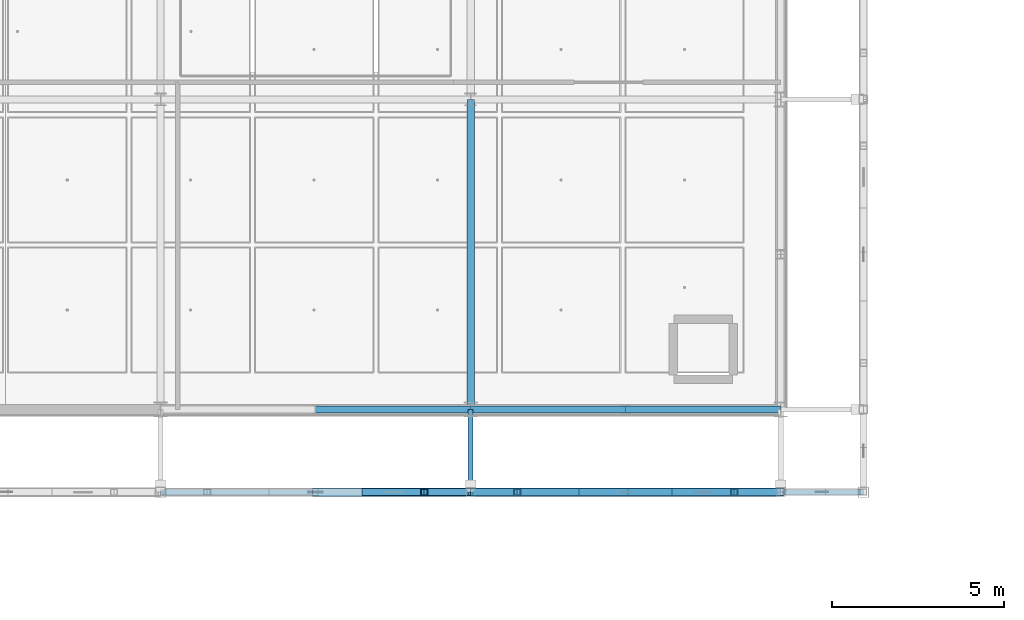
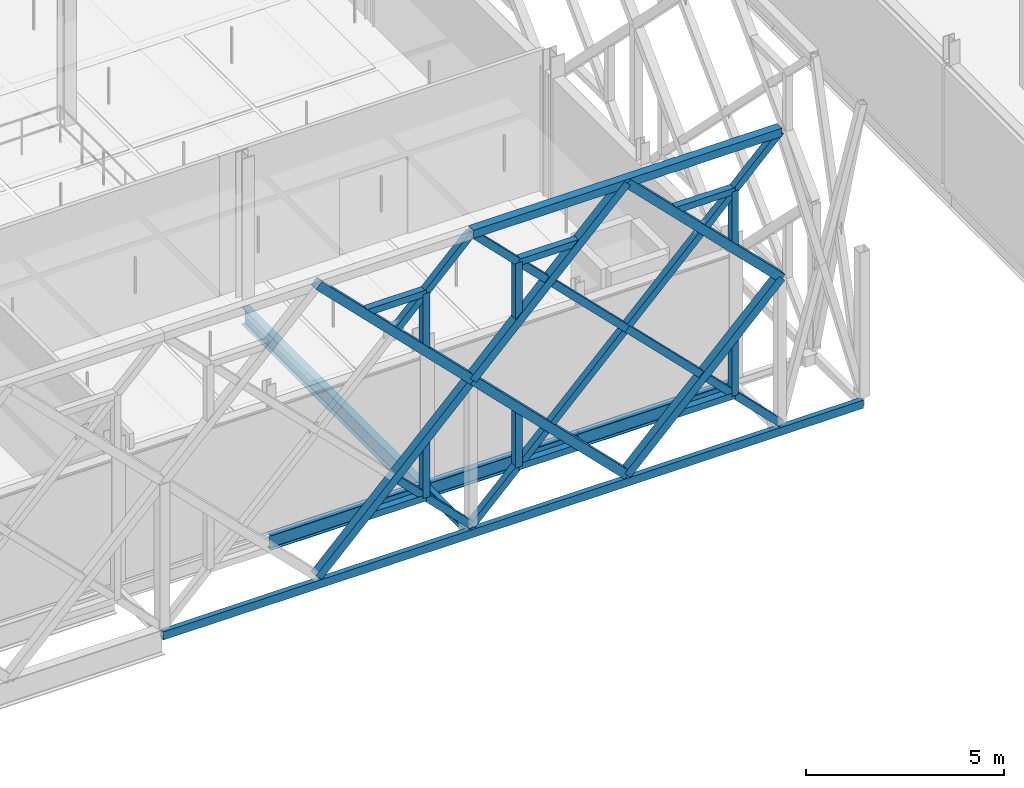
# One storey, part 30 of 140: 28 members, 6 beams.
"""IFC4 building model written with IfcOpenShell, lengths in metres."""

from ifc_helpers import new_model, si_unit, direction, frame, origin, origin_2d, place, context, subcontext, project, spatial, hollow_rectangle, i_section, extrude, material, material_profile, profile_set, type_object, element, save


model = new_model("IFC4")

# Units and contexts
model_context = context("Model", 3, precision=1e-05, world=origin(), true_north=direction((0.0, 1.0)))
body_context = subcontext(model_context, "Body", "Model", "MODEL_VIEW")
ifc_project = project(units=[si_unit("LENGTHUNIT", "METRE"), si_unit("AREAUNIT", "SQUARE_METRE"), si_unit("VOLUMEUNIT", "CUBIC_METRE"), si_unit("PLANEANGLEUNIT", "RADIAN"), si_unit("MASSUNIT", "GRAM", prefix="KILO"), si_unit("THERMODYNAMICTEMPERATUREUNIT", "KELVIN"), si_unit("POWERUNIT", "WATT")], contexts=[model_context])

# Site, building, storey
site_placement = place(None, origin())
site = spatial("IfcSite", under=ifc_project, at=site_placement, CompositionType="ELEMENT")
building_placement = place(site_placement, origin())
building = spatial("IfcBuilding", under=site, at=building_placement, Name="Tallowbark Science Centre", CompositionType="ELEMENT")
storey_placement = place(building_placement, frame((0.0, 0.0, 9.89990234375)))
storey = spatial("IfcBuildingStorey", under=building, at=storey_placement, Name="L02", CompositionType="ELEMENT", Elevation=9.89990234375)

# Beams
ifc_material_1 = material(Name="White Architectural Painted Steel Grade C350L0 (350 MPa)", Category="steel")
ifc_material_profile_1 = material_profile(ifc_material_1, i_section(OverallWidth=0.146484375, OverallDepth=0.256103515625, WebThickness=0.00634765625, FlangeThickness=0.010986328125, FilletRadius=0.0087890625, at=origin_2d()), Name="250UB37.3")
ifc_profile_set_1 = profile_set([ifc_material_profile_1], Name="White Architectural Painted Steel Grade C350L0 (350 MPa)")
beam_type_1 = type_object("IfcBeamType", Name="BM-OUT250", PredefinedType="BEAM", material=ifc_profile_set_1)
beam_1_placement = place(storey_placement, frame((94.5, 4.5, -0.25), z_axis=(0.0, -1.0, 0.0), x_axis=(1.0, 0.0, 0.0)))
element("IfcBeam", 1, at=beam_1_placement, inside=storey, type_object=beam_type_1, Name="Star Screen Outrigger Tie Beam S-27", PredefinedType="BEAM", context=body_context, shape_type="SweptSolid", body=[
    extrude(i_section(OverallWidth=0.146484375, OverallDepth=0.256103515625, WebThickness=0.00634765625, FlangeThickness=0.010986328125, FilletRadius=0.0087890625, at=origin_2d()), origin(), (0.0, 0.0, 1.0), 2.39990234375),
])
ifc_material_2 = material(Name="Structural Steel Grade 300PLUS (300 MPa)", Category="steel")
ifc_material_profile_2 = material_profile(ifc_material_2, i_section(OverallWidth=0.208740234375, OverallDepth=0.5283203125, WebThickness=0.009521484375, FlangeThickness=0.01318359375, FilletRadius=0.013916015625, at=origin_2d()), Name="530UB82.0")
ifc_profile_set_2 = profile_set([ifc_material_profile_2], Name="Structural Steel Grade 300PLUS (300 MPa)")
beam_type_2 = type_object("IfcBeamType", Name="BM-UB530B", PredefinedType="BEAM", material=ifc_profile_set_2)
beam_2_placement = place(storey_placement, frame((94.5, 4.5, -0.444091796875), z_axis=(0.0, 1.0, 0.0), x_axis=(-1.0, 0.0, 0.0)))
element("IfcBeam", 2, at=beam_2_placement, inside=storey, type_object=beam_type_2, Name="Primary Girder GRDY-L02-945-45-135", PredefinedType="BEAM", context=body_context, shape_type="SweptSolid", body=[
    extrude(i_section(OverallWidth=0.208740234375, OverallDepth=0.5283203125, WebThickness=0.009521484375, FlangeThickness=0.01318359375, FilletRadius=0.013916015625, at=origin_2d()), origin(), (0.0, 0.0, 1.0), 9.0),
])

# Members
ifc_material_profile_3 = material_profile(ifc_material_1, hollow_rectangle(XDim=0.25, YDim=0.25, WallThickness=0.009033203125, at=origin_2d()), Name="250x250x9.0SHS")
ifc_profile_set_3 = profile_set([ifc_material_profile_3], Name="White Architectural Painted Steel Grade C350L0 (350 MPa)")
member_type_1 = type_object("IfcMemberType", Name="SCR-CHD200", PredefinedType="CHORD", material=ifc_profile_set_3)
for number, where, z_axis, x_axis, name in (
    (3, (90.0, 2.10009765625, 0.0), (0.707106781187, 0.0, 0.707106781187), (0.0, 1.0, 0.0), "Star Screen Octagram Diamond Chord S-23-1"),
    (4, (94.5, 2.10009765625, 4.5), (-0.707106781187, 0.0, 0.707106781187), (0.0, -1.0, 0.0), "Star Screen Octagram Diamond Chord S-23-2"),
):
    element("IfcMember", number, at=place(storey_placement, frame(where, z_axis=z_axis, x_axis=x_axis)), inside=storey, type_object=member_type_1, Name=name, PredefinedType="CHORD", context=body_context, shape_type="SweptSolid", body=[
        extrude(hollow_rectangle(XDim=0.25, YDim=0.25, WallThickness=0.009033203125, at=origin_2d()), origin(), (0.0, 0.0, 1.0), 6.364013671875),
    ])
member_1_placement = place(storey_placement, frame((94.5, 2.10009765625, 9.0), z_axis=(1.0, 0.0, 0.0), x_axis=(0.0, 1.0, 0.0)))
element("IfcMember", 5, at=member_1_placement, inside=storey, type_object=member_type_1, Name="Star Screen Frame Chord S-25", PredefinedType="CHORD", context=body_context, shape_type="SweptSolid", body=[
    extrude(hollow_rectangle(XDim=0.25, YDim=0.25, WallThickness=0.009033203125, at=origin_2d()), origin(), (0.0, 0.0, 1.0), 9.0),
])
for number, where, z_axis, x_axis, name in (
    (6, (99.0, 2.10009765625, 0.0), (0.707106781187, 0.0, 0.707106781187), (0.0, 1.0, 0.0), "Star Screen Octagram Diamond Chord S-25-1"),
    (7, (103.5, 2.10009765625, 4.5), (-0.707106781187, 0.0, 0.707106781187), (0.0, -1.0, 0.0), "Star Screen Octagram Diamond Chord S-25-2"),
    (8, (99.0, 2.10009765625, 9.0), (-0.707106781187, 0.0, -0.707106781187), (0.0, -1.0, 0.0), "Star Screen Octagram Diamond Chord S-25-3"),
    (9, (94.5, 2.10009765625, 4.5), (0.707106781187, 0.0, -0.707106781187), (0.0, 1.0, 0.0), "Star Screen Octagram Diamond Chord S-25-4"),
):
    element("IfcMember", number, at=place(storey_placement, frame(where, z_axis=z_axis, x_axis=x_axis)), inside=storey, type_object=member_type_1, Name=name, PredefinedType="CHORD", context=body_context, shape_type="SweptSolid", body=[
        extrude(hollow_rectangle(XDim=0.25, YDim=0.25, WallThickness=0.009033203125, at=origin_2d()), origin(), (0.0, 0.0, 1.0), 6.364013671875),
    ])
ifc_material_profile_4 = material_profile(ifc_material_1, hollow_rectangle(XDim=0.199951171875, YDim=0.199951171875, WallThickness=0.009033203125, at=origin_2d()), Name="200x200x9.0SHS")
ifc_profile_set_4 = profile_set([ifc_material_profile_4], Name="White Architectural Painted Steel Grade C350L0 (350 MPa)")
member_type_2 = type_object("IfcMemberType", Name="SCR-STAR139", PredefinedType="BRACE", material=ifc_profile_set_4)
for number, where, z_axis, x_axis, name in (
    (10, (92.25, 2.10009765625, 6.75), (0.707106781187, 0.0, 0.707106781187), (0.0, 1.0, 0.0), "Star Screen Continuous X-Diagonal D1B S-23"),
    (11, (92.25, 2.10009765625, 2.25), (0.707106781187, 0.0, -0.707106781187), (0.0, 1.0, 0.0), "Star Screen Split X-Diagonal D2D S-23"),
    (12, (94.5, 2.10009765625, 0.0), (0.707106781187, 0.0, 0.707106781187), (0.0, 1.0, 0.0), "Star Screen Continuous X-Diagonal D1A S-25"),
):
    element("IfcMember", number, at=place(storey_placement, frame(where, z_axis=z_axis, x_axis=x_axis)), inside=storey, type_object=member_type_2, Name=name, PredefinedType="BRACE", context=body_context, shape_type="SweptSolid", body=[
        extrude(hollow_rectangle(XDim=0.199951171875, YDim=0.199951171875, WallThickness=0.009033203125, at=origin_2d()), origin(), (0.0, 0.0, 1.0), 3.181884765625),
    ])
member_2_placement = place(storey_placement, frame((96.75, 2.10009765625, 2.25), z_axis=(0.707106781187, 0.0, 0.707106781187), x_axis=(0.0, 1.0, 0.0)))
element("IfcMember", 13, at=member_2_placement, inside=storey, type_object=member_type_2, Name="Star Screen Continuous X-Diagonal D1M S-25", PredefinedType="BRACE", context=body_context, shape_type="SweptSolid", body=[
    extrude(hollow_rectangle(XDim=0.199951171875, YDim=0.199951171875, WallThickness=0.009033203125, at=origin_2d()), origin(), (0.0, 0.0, 1.0), 6.364013671875),
])
for number, where, z_axis, x_axis, name in (
    (14, (101.25, 2.10009765625, 6.75), (0.707106781187, 0.0, 0.707106781187), (0.0, 1.0, 0.0), "Star Screen Continuous X-Diagonal D1B S-25"),
    (15, (94.5, 2.10009765625, 9.0), (0.707106781187, 0.0, -0.707106781187), (0.0, 1.0, 0.0), "Star Screen Split X-Diagonal D2A S-25"),
    (16, (96.75, 2.10009765625, 6.75), (0.707106781187, 0.0, -0.707106781187), (0.0, 1.0, 0.0), "Star Screen Split X-Diagonal D2B S-25"),
    (17, (99.0, 2.10009765625, 4.5), (0.707106781187, 0.0, -0.707106781187), (0.0, 1.0, 0.0), "Star Screen Split X-Diagonal D2C S-25"),
    (18, (101.25, 2.10009765625, 2.25), (0.707106781187, 0.0, -0.707106781187), (0.0, 1.0, 0.0), "Star Screen Split X-Diagonal D2D S-25"),
):
    element("IfcMember", number, at=place(storey_placement, frame(where, z_axis=z_axis, x_axis=x_axis)), inside=storey, type_object=member_type_2, Name=name, PredefinedType="BRACE", context=body_context, shape_type="SweptSolid", body=[
        extrude(hollow_rectangle(XDim=0.199951171875, YDim=0.199951171875, WallThickness=0.009033203125, at=origin_2d()), origin(), (0.0, 0.0, 1.0), 3.181884765625),
    ])
ifc_material_profile_5 = material_profile(ifc_material_1, hollow_rectangle(XDim=0.199951171875, YDim=0.199951171875, WallThickness=0.009033203125, at=origin_2d()), Name="200x200x9.0SHS")
ifc_profile_set_5 = profile_set([ifc_material_profile_5], Name="White Architectural Painted Steel Grade C350L0 (350 MPa)")
member_type_3 = type_object("IfcMemberType", Name="SCR-SUB150", PredefinedType="BRACE", material=ifc_profile_set_5)
member_3_placement = place(storey_placement, frame((93.14990234375, 2.10009765625, 1.35009765625), z_axis=(-1.0, 0.0, 0.0), x_axis=(0.0, -1.0, 0.0)))
element("IfcMember", 19, at=member_3_placement, inside=storey, type_object=member_type_3, Name="Star Screen Octagram Point Ray S-23-3", PredefinedType="BRACE", context=body_context, shape_type="SweptSolid", body=[
    extrude(hollow_rectangle(XDim=0.199951171875, YDim=0.199951171875, WallThickness=0.009033203125, at=origin_2d()), origin(), (0.0, 0.0, 1.0), 1.7998046875),
])
member_4_placement = place(storey_placement, frame((93.14990234375, 2.10009765625, 1.35009765625), z_axis=(0.0, 0.0, 1.0), x_axis=(1.0, 0.0, 0.0)))
element("IfcMember", 20, at=member_4_placement, inside=storey, type_object=member_type_3, Name="Star Screen Octagram Point Ray S-23-4", PredefinedType="BRACE", context=body_context, shape_type="SweptSolid", body=[
    extrude(hollow_rectangle(XDim=0.199951171875, YDim=0.199951171875, WallThickness=0.009033203125, at=origin_2d()), origin(), (0.0, 0.0, 1.0), 1.800048828125),
])
member_5_placement = place(storey_placement, frame((93.14990234375, 2.10009765625, 7.650146484375), z_axis=(-1.0, 0.0, 0.0), x_axis=(0.0, -1.0, 0.0)))
element("IfcMember", 21, at=member_5_placement, inside=storey, type_object=member_type_3, Name="Star Screen Octagram Point Ray S-23-5", PredefinedType="BRACE", context=body_context, shape_type="SweptSolid", body=[
    extrude(hollow_rectangle(XDim=0.199951171875, YDim=0.199951171875, WallThickness=0.009033203125, at=origin_2d()), origin(), (0.0, 0.0, 1.0), 1.7998046875),
])
member_6_placement = place(storey_placement, frame((93.14990234375, 2.10009765625, 7.650146484375), z_axis=(0.0, 0.0, -1.0), x_axis=(1.0, 0.0, 0.0)))
element("IfcMember", 22, at=member_6_placement, inside=storey, type_object=member_type_3, Name="Star Screen Octagram Point Ray S-23-6", PredefinedType="BRACE", context=body_context, shape_type="SweptSolid", body=[
    extrude(hollow_rectangle(XDim=0.199951171875, YDim=0.199951171875, WallThickness=0.009033203125, at=origin_2d()), origin(), (0.0, 0.0, 1.0), 1.800048828125),
])
member_7_placement = place(storey_placement, frame((95.85009765625, 2.10009765625, 1.35009765625), z_axis=(1.0, 0.0, 0.0), x_axis=(0.0, 1.0, 0.0)))
element("IfcMember", 23, at=member_7_placement, inside=storey, type_object=member_type_3, Name="Star Screen Octagram Point Ray S-25-1", PredefinedType="BRACE", context=body_context, shape_type="SweptSolid", body=[
    extrude(hollow_rectangle(XDim=0.199951171875, YDim=0.199951171875, WallThickness=0.009033203125, at=origin_2d()), origin(), (0.0, 0.0, 1.0), 1.7998046875),
])
member_8_placement = place(storey_placement, frame((95.85009765625, 2.10009765625, 1.35009765625), z_axis=(0.0, 0.0, 1.0), x_axis=(1.0, 0.0, 0.0)))
element("IfcMember", 24, at=member_8_placement, inside=storey, type_object=member_type_3, Name="Star Screen Octagram Point Ray S-25-2", PredefinedType="BRACE", context=body_context, shape_type="SweptSolid", body=[
    extrude(hollow_rectangle(XDim=0.199951171875, YDim=0.199951171875, WallThickness=0.009033203125, at=origin_2d()), origin(), (0.0, 0.0, 1.0), 1.800048828125),
])
member_9_placement = place(storey_placement, frame((102.14990234375, 2.10009765625, 1.35009765625), z_axis=(-1.0, 0.0, 0.0), x_axis=(0.0, -1.0, 0.0)))
element("IfcMember", 25, at=member_9_placement, inside=storey, type_object=member_type_3, Name="Star Screen Octagram Point Ray S-25-3", PredefinedType="BRACE", context=body_context, shape_type="SweptSolid", body=[
    extrude(hollow_rectangle(XDim=0.199951171875, YDim=0.199951171875, WallThickness=0.009033203125, at=origin_2d()), origin(), (0.0, 0.0, 1.0), 1.7998046875),
])
member_10_placement = place(storey_placement, frame((102.14990234375, 2.10009765625, 1.35009765625), z_axis=(0.0, 0.0, 1.0), x_axis=(1.0, 0.0, 0.0)))
element("IfcMember", 26, at=member_10_placement, inside=storey, type_object=member_type_3, Name="Star Screen Octagram Point Ray S-25-4", PredefinedType="BRACE", context=body_context, shape_type="SweptSolid", body=[
    extrude(hollow_rectangle(XDim=0.199951171875, YDim=0.199951171875, WallThickness=0.009033203125, at=origin_2d()), origin(), (0.0, 0.0, 1.0), 1.800048828125),
])
member_11_placement = place(storey_placement, frame((102.14990234375, 2.10009765625, 7.650146484375), z_axis=(-1.0, 0.0, 0.0), x_axis=(0.0, -1.0, 0.0)))
element("IfcMember", 27, at=member_11_placement, inside=storey, type_object=member_type_3, Name="Star Screen Octagram Point Ray S-25-5", PredefinedType="BRACE", context=body_context, shape_type="SweptSolid", body=[
    extrude(hollow_rectangle(XDim=0.199951171875, YDim=0.199951171875, WallThickness=0.009033203125, at=origin_2d()), origin(), (0.0, 0.0, 1.0), 1.7998046875),
])
member_12_placement = place(storey_placement, frame((102.14990234375, 2.10009765625, 7.650146484375), z_axis=(0.0, 0.0, -1.0), x_axis=(1.0, 0.0, 0.0)))
element("IfcMember", 28, at=member_12_placement, inside=storey, type_object=member_type_3, Name="Star Screen Octagram Point Ray S-25-6", PredefinedType="BRACE", context=body_context, shape_type="SweptSolid", body=[
    extrude(hollow_rectangle(XDim=0.199951171875, YDim=0.199951171875, WallThickness=0.009033203125, at=origin_2d()), origin(), (0.0, 0.0, 1.0), 1.800048828125),
])
member_13_placement = place(storey_placement, frame((95.85009765625, 2.10009765625, 7.650146484375), z_axis=(1.0, 0.0, 0.0), x_axis=(0.0, 1.0, 0.0)))
element("IfcMember", 29, at=member_13_placement, inside=storey, type_object=member_type_3, Name="Star Screen Octagram Point Ray S-25-7", PredefinedType="BRACE", context=body_context, shape_type="SweptSolid", body=[
    extrude(hollow_rectangle(XDim=0.199951171875, YDim=0.199951171875, WallThickness=0.009033203125, at=origin_2d()), origin(), (0.0, 0.0, 1.0), 1.7998046875),
])
member_14_placement = place(storey_placement, frame((95.85009765625, 2.10009765625, 7.650146484375), z_axis=(0.0, 0.0, -1.0), x_axis=(1.0, 0.0, 0.0)))
element("IfcMember", 30, at=member_14_placement, inside=storey, type_object=member_type_3, Name="Star Screen Octagram Point Ray S-25-8", PredefinedType="BRACE", context=body_context, shape_type="SweptSolid", body=[
    extrude(hollow_rectangle(XDim=0.199951171875, YDim=0.199951171875, WallThickness=0.009033203125, at=origin_2d()), origin(), (0.0, 0.0, 1.0), 1.800048828125),
])

# Beams
ifc_material_profile_6 = material_profile(ifc_material_1, hollow_rectangle(XDim=0.14990234375, YDim=0.25, WallThickness=0.009033203125, at=origin_2d()), Name="250x150x9.0RHS")
ifc_profile_set_6 = profile_set([ifc_material_profile_6], Name="White Architectural Painted Steel Grade C350L0 (350 MPa)")
beam_type_3 = type_object("IfcBeamType", Name="SPN-RHS250", PredefinedType="SPANDREL", material=ifc_profile_set_6)
beam_3_placement = place(storey_placement, frame((85.5, 2.10009765625, -0.25), z_axis=(1.0, 0.0, 0.0), x_axis=(0.0, 1.0, 0.0)))
element("IfcBeam", 31, at=beam_3_placement, inside=storey, type_object=beam_type_3, Name="Star Screen Perimeter Ring Beam SE-L02", PredefinedType="SPANDREL", context=body_context, shape_type="SweptSolid", body=[
    extrude(hollow_rectangle(XDim=0.14990234375, YDim=0.25, WallThickness=0.009033203125, at=origin_2d()), origin(), (0.0, 0.0, 1.0), 20.39990234375),
])
ifc_material_profile_7 = material_profile(ifc_material_2, i_section(OverallWidth=0.18994140625, OverallDepth=0.453857421875, WebThickness=0.008544921875, FlangeThickness=0.0126953125, FilletRadius=0.011474609375, at=origin_2d()), Name="460UB67.1")
ifc_profile_set_7 = profile_set([ifc_material_profile_7], Name="Structural Steel Grade 300PLUS (300 MPa)")
beam_type_4 = type_object("IfcBeamType", Name="SPN-UB460", PredefinedType="SPANDREL", material=ifc_profile_set_7)
for number, where, z_axis, x_axis, name in (
    (32, (90.0, 4.5, -0.40673828125), (1.0, 0.0, 0.0), (0.0, 1.0, 0.0), "Primary Girder GRDX-L02-900-945-45"),
    (33, (94.5, 4.5, -0.40673828125), (1.0, 0.0, 0.0), (0.0, 1.0, 0.0), "Primary Girder GRDX-L02-945-990-45"),
    (34, (99.0, 4.5, -0.40673828125), (1.0, 0.0, 0.0), (0.0, 1.0, 0.0), "Primary Girder GRDX-L02-990-1035-45"),
):
    element("IfcBeam", number, at=place(storey_placement, frame(where, z_axis=z_axis, x_axis=x_axis)), inside=storey, type_object=beam_type_4, Name=name, PredefinedType="SPANDREL", context=body_context, shape_type="SweptSolid", body=[
        extrude(i_section(OverallWidth=0.18994140625, OverallDepth=0.453857421875, WebThickness=0.008544921875, FlangeThickness=0.0126953125, FilletRadius=0.011474609375, at=origin_2d()), origin(), (0.0, 0.0, 1.0), 4.5),
    ])

save(model, "model.ifc")
